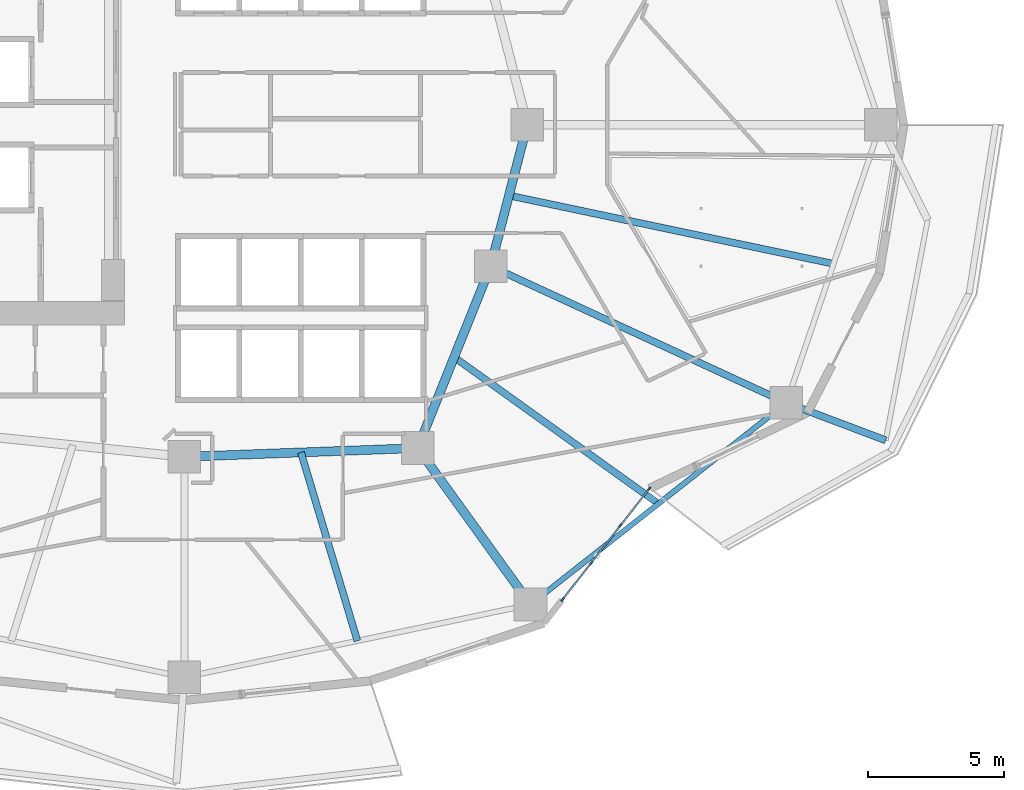
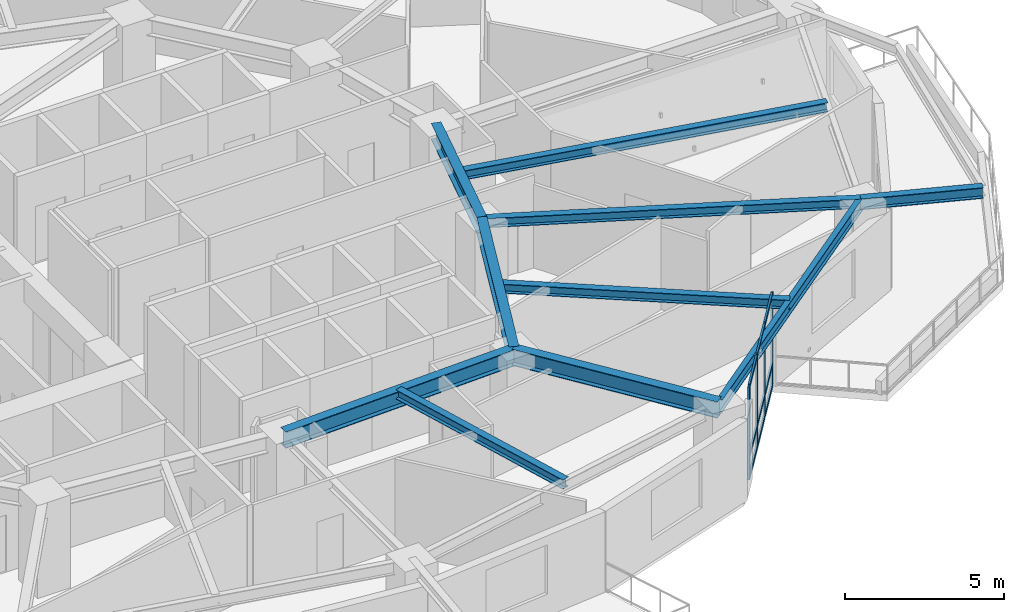
# One storey, part 4 of 18: 13 members, 10 beams, 1 element without a shape of its own.
"""IFC4 building model written with IfcOpenShell, lengths in metres."""

from ifc_helpers import new_model, si_unit, direction, frame, origin, origin_2d, place, context, subcontext, project, spatial, rectangle, i_section, extrude, material, layer, layer_set, material_profile, profile_set, type_object, element, aggregate, save


model = new_model("IFC4")

# Units and contexts
model_context = context("Model", 3, precision=1e-05, world=origin(), true_north=direction((0.0, 1.0)))
body_context = subcontext(model_context, "Body", "Model", "MODEL_VIEW")
ifc_project = project(units=[si_unit("LENGTHUNIT", "METRE"), si_unit("AREAUNIT", "SQUARE_METRE"), si_unit("VOLUMEUNIT", "CUBIC_METRE"), si_unit("PLANEANGLEUNIT", "RADIAN"), si_unit("MASSUNIT", "GRAM", prefix="KILO")], contexts=[model_context])

# Site, building, storey
site_placement = place(None, origin())
site = spatial("IfcSite", under=ifc_project, at=site_placement, CompositionType="ELEMENT")
building_placement = place(site_placement, origin())
building = spatial("IfcBuilding", under=site, at=building_placement, Name="Kolvaren Gate Tower and Convention Centre", CompositionType="ELEMENT")
storey_placement = place(building_placement, frame((0.0, 0.0, 53.449951171875)))
storey = spatial("IfcBuildingStorey", under=building, at=storey_placement, Name="L12", CompositionType="ELEMENT", Elevation=53.449951171875)

# Curtain wall, members
ifc_material_1 = material(Name="Anodized Architectural Aluminium Alloy 6063-T6", Category="aluminium")
ifc_layer = layer(ifc_material_1, 0.159912109375)
ifc_layer_set = layer_set([ifc_layer], Name="Anodized Architectural Aluminium Alloy 6063-T6")
curtain_wall_type = type_object("IfcCurtainWallType", Name="CW-OFF-UNIT", PredefinedType="NOTDEFINED", material=ifc_layer_set)
curtain_wall_placement = place(storey_placement, origin())
curtain_wall = element("IfcCurtainWall", 1, at=curtain_wall_placement, inside=storey, type_object=curtain_wall_type, Name="Tower L12 Unitised Curtain Wall CW-OFF-UNIT Bay 20", PredefinedType="NOTDEFINED")
ifc_material_profile_1 = material_profile(ifc_material_1, rectangle(XDim=0.06494140625, YDim=0.159912109375, at=origin_2d()), Name="CW-MEM-MUL-160")
ifc_profile_set_1 = profile_set([ifc_material_profile_1], Name="Anodized Architectural Aluminium Alloy 6063-T6")
member_type_1 = type_object("IfcMemberType", Name="CW-MEM-MUL-160", PredefinedType="MULLION", material=ifc_profile_set_1)
member_1_placement = place(storey_placement, frame((44.027099609375, 9.556396484375, 0.0), z_axis=(0.0, 0.0, 1.0), x_axis=(-0.787406322976, 0.61643432946, 0.0)))
member_1 = element("IfcMember", 2, at=member_1_placement, type_object=member_type_1, Name="CW-02 mullion 1", PredefinedType="MULLION", context=body_context, shape_type="SweptSolid", body=[
    extrude(rectangle(XDim=0.06494140625, YDim=0.159912109375, at=origin_2d()), origin(), (0.0, 0.0, 1.0), 3.570068359375),
])
member_2_placement = place(storey_placement, frame((45.079345703125, 10.900634765625, 0.0), z_axis=(0.0, 0.0, 1.0), x_axis=(-0.787406322976, 0.61643432946, 0.0)))
member_2 = element("IfcMember", 3, at=member_2_placement, type_object=member_type_1, Name="CW-02 mullion 2", PredefinedType="MULLION", context=body_context, shape_type="SweptSolid", body=[
    extrude(rectangle(XDim=0.06494140625, YDim=0.159912109375, at=origin_2d()), origin(), (0.0, 0.0, 1.0), 3.570068359375),
])
member_3_placement = place(storey_placement, frame((46.151611328125, 12.270263671875, 0.0), z_axis=(0.0, 0.0, 1.0), x_axis=(-0.787406322976, 0.61643432946, 0.0)))
member_3 = element("IfcMember", 4, at=member_3_placement, type_object=member_type_1, Name="CW-02 mullion 3", PredefinedType="MULLION", context=body_context, shape_type="SweptSolid", body=[
    extrude(rectangle(XDim=0.06494140625, YDim=0.159912109375, at=origin_2d()), origin(), (0.0, 0.0, 1.0), 3.570068359375),
])
member_4_placement = place(storey_placement, frame((47.203857421875, 13.6142578125, 0.0), z_axis=(0.0, 0.0, 1.0), x_axis=(-0.787406322976, 0.61643432946, 0.0)))
member_4 = element("IfcMember", 5, at=member_4_placement, type_object=member_type_1, Name="CW-02 mullion 4", PredefinedType="MULLION", context=body_context, shape_type="SweptSolid", body=[
    extrude(rectangle(XDim=0.06494140625, YDim=0.159912109375, at=origin_2d()), origin(), (0.0, 0.0, 1.0), 3.570068359375),
])
ifc_material_profile_2 = material_profile(ifc_material_1, rectangle(XDim=0.06494140625, YDim=0.159912109375, at=origin_2d()), Name="CW-MEM-TRN-160")
ifc_profile_set_2 = profile_set([ifc_material_profile_2], Name="Anodized Architectural Aluminium Alloy 6063-T6")
member_type_2 = type_object("IfcMemberType", Name="CW-MEM-TRN-160", PredefinedType="USERDEFINED", material=ifc_profile_set_2)
member_5_placement = place(storey_placement, frame((44.047119140625, 9.58203125, 0.032470703125), z_axis=(0.616428523412, 0.787410868304, 0.0), x_axis=(-0.787410868304, 0.616428523412, 0.0)))
member_5 = element("IfcMember", 6, at=member_5_placement, type_object=member_type_2, Name="CW-02 transom 1.1", ObjectType="TRANSOM", PredefinedType="USERDEFINED", context=body_context, shape_type="SweptSolid", body=[
    extrude(rectangle(XDim=0.06494140625, YDim=0.159912109375, at=origin_2d()), origin(), (0.0, 0.0, 1.0), 1.64208984375),
])
member_6_placement = place(storey_placement, frame((44.047119140625, 9.58203125, 0.85009765625), z_axis=(0.616428523412, 0.787410868304, 0.0), x_axis=(-0.787410868304, 0.616428523412, 0.0)))
member_6 = element("IfcMember", 7, at=member_6_placement, type_object=member_type_2, Name="CW-02 transom 1.2", ObjectType="TRANSOM", PredefinedType="USERDEFINED", context=body_context, shape_type="SweptSolid", body=[
    extrude(rectangle(XDim=0.06494140625, YDim=0.159912109375, at=origin_2d()), origin(), (0.0, 0.0, 1.0), 1.64208984375),
])
member_7_placement = place(storey_placement, frame((44.047119140625, 9.58203125, 3.53759765625), z_axis=(0.616428523412, 0.787410868304, 0.0), x_axis=(-0.787410868304, 0.616428523412, 0.0)))
member_7 = element("IfcMember", 8, at=member_7_placement, type_object=member_type_2, Name="CW-02 transom 1.3", ObjectType="TRANSOM", PredefinedType="USERDEFINED", context=body_context, shape_type="SweptSolid", body=[
    extrude(rectangle(XDim=0.06494140625, YDim=0.159912109375, at=origin_2d()), origin(), (0.0, 0.0, 1.0), 1.64208984375),
])
member_8_placement = place(storey_placement, frame((45.099365234375, 10.92626953125, 0.032470703125), z_axis=(0.616481234943, 0.787369599974, 0.0), x_axis=(-0.787369599974, 0.616481234943, 0.0)))
member_8 = element("IfcMember", 9, at=member_8_placement, type_object=member_type_2, Name="CW-02 transom 2.1", ObjectType="TRANSOM", PredefinedType="USERDEFINED", context=body_context, shape_type="SweptSolid", body=[
    extrude(rectangle(XDim=0.06494140625, YDim=0.159912109375, at=origin_2d()), origin(), (0.0, 0.0, 1.0), 1.67431640625),
])
member_9_placement = place(storey_placement, frame((45.099365234375, 10.92626953125, 0.85009765625), z_axis=(0.616481234943, 0.787369599974, 0.0), x_axis=(-0.787369599974, 0.616481234943, 0.0)))
member_9 = element("IfcMember", 10, at=member_9_placement, type_object=member_type_2, Name="CW-02 transom 2.2", ObjectType="TRANSOM", PredefinedType="USERDEFINED", context=body_context, shape_type="SweptSolid", body=[
    extrude(rectangle(XDim=0.06494140625, YDim=0.159912109375, at=origin_2d()), origin(), (0.0, 0.0, 1.0), 1.67431640625),
])
member_10_placement = place(storey_placement, frame((45.099365234375, 10.92626953125, 3.53759765625), z_axis=(0.616481234943, 0.787369599974, 0.0), x_axis=(-0.787369599974, 0.616481234943, 0.0)))
member_10 = element("IfcMember", 11, at=member_10_placement, type_object=member_type_2, Name="CW-02 transom 2.3", ObjectType="TRANSOM", PredefinedType="USERDEFINED", context=body_context, shape_type="SweptSolid", body=[
    extrude(rectangle(XDim=0.06494140625, YDim=0.159912109375, at=origin_2d()), origin(), (0.0, 0.0, 1.0), 1.67431640625),
])
member_11_placement = place(storey_placement, frame((46.171630859375, 12.2958984375, 0.032470703125), z_axis=(0.61650069609, 0.787354362228, 0.0), x_axis=(-0.787354362228, 0.61650069609, 0.0)))
member_11 = element("IfcMember", 12, at=member_11_placement, type_object=member_type_2, Name="CW-02 transom 3.1", ObjectType="TRANSOM", PredefinedType="USERDEFINED", context=body_context, shape_type="SweptSolid", body=[
    extrude(rectangle(XDim=0.06494140625, YDim=0.159912109375, at=origin_2d()), origin(), (0.0, 0.0, 1.0), 1.641845703125),
])
member_12_placement = place(storey_placement, frame((46.171630859375, 12.2958984375, 0.85009765625), z_axis=(0.61650069609, 0.787354362228, 0.0), x_axis=(-0.787354362228, 0.61650069609, 0.0)))
member_12 = element("IfcMember", 13, at=member_12_placement, type_object=member_type_2, Name="CW-02 transom 3.2", ObjectType="TRANSOM", PredefinedType="USERDEFINED", context=body_context, shape_type="SweptSolid", body=[
    extrude(rectangle(XDim=0.06494140625, YDim=0.159912109375, at=origin_2d()), origin(), (0.0, 0.0, 1.0), 1.641845703125),
])
member_13_placement = place(storey_placement, frame((46.171630859375, 12.2958984375, 3.53759765625), z_axis=(0.61650069609, 0.787354362228, 0.0), x_axis=(-0.787354362228, 0.61650069609, 0.0)))
member_13 = element("IfcMember", 14, at=member_13_placement, type_object=member_type_2, Name="CW-02 transom 3.3", ObjectType="TRANSOM", PredefinedType="USERDEFINED", context=body_context, shape_type="SweptSolid", body=[
    extrude(rectangle(XDim=0.06494140625, YDim=0.159912109375, at=origin_2d()), origin(), (0.0, 0.0, 1.0), 1.641845703125),
])
aggregate(curtain_wall, [member_1, member_2, member_3, member_4, member_5, member_6, member_7, member_8, member_9, member_10, member_11, member_12, member_13])

# Beams
ifc_material_2 = material(Name="Structural steel ASTM A992 Grade 345 MPa", Category="steel")
ifc_material_profile_3 = material_profile(ifc_material_2, i_section(OverallWidth=0.260009765625, OverallDepth=0.419921875, WebThickness=0.013427734375, FlangeThickness=0.0224609375, at=origin_2d()), Name="W410X132")
ifc_profile_set_3 = profile_set([ifc_material_profile_3], Name="Structural steel ASTM A992 Grade 345 MPa")
beam_type_1 = type_object("IfcBeamType", Name="STR-BM-W410X132", PredefinedType="BEAM", material=ifc_profile_set_3)
beam_1_placement = place(storey_placement, frame((52.248779296875, 16.781494140625, 3.360595703125), z_axis=(0.935601718951, -0.353057252434, 0.0), x_axis=(0.353057252434, 0.935601718951, 0.0)))
element("IfcBeam", 15, at=beam_1_placement, inside=storey, type_object=beam_type_1, Name="Tower L13 Planted Balcony Outrigger Cantilever BC-4A", PredefinedType="BEAM", context=body_context, shape_type="SweptSolid", body=[
    extrude(i_section(OverallWidth=0.260009765625, OverallDepth=0.419921875, WebThickness=0.013427734375, FlangeThickness=0.0224609375, at=origin_2d()), origin(), (0.0, 0.0, 1.0), 3.900146484375),
])
ifc_material_profile_4 = material_profile(ifc_material_2, i_section(OverallWidth=0.327880859375, OverallDepth=0.6279296875, WebThickness=0.0166015625, FlangeThickness=0.027587890625, at=origin_2d()), Name="W610X217")
ifc_profile_set_4 = profile_set([ifc_material_profile_4], Name="Structural steel ASTM A992 Grade 345 MPa")
beam_type_2 = type_object("IfcBeamType", Name="STR-BM-W610X217", PredefinedType="BEAM", material=ifc_profile_set_4)
beam_2_placement = place(storey_placement, frame((42.72509765625, 27.0, 3.256103515625), z_axis=(-0.250091133936, -0.968222301296, 0.0), x_axis=(0.968222301296, -0.250091133936, 0.0)))
element("IfcBeam", 16, at=beam_2_placement, inside=storey, type_object=beam_type_2, Name="Tower L12 Primary Ring Girder G-01", PredefinedType="BEAM", context=body_context, shape_type="SweptSolid", body=[
    extrude(i_section(OverallWidth=0.327880859375, OverallDepth=0.6279296875, WebThickness=0.0166015625, FlangeThickness=0.027587890625, at=origin_2d()), origin(), (0.0, 0.0, 1.0), 5.3701171875),
])
beam_3_placement = place(storey_placement, frame((30.125, 14.800048828125, 3.256103515625), z_axis=(0.999301712453, 0.037364254142, 0.0), x_axis=(-0.037364254142, 0.999301712453, 0.0)))
element("IfcBeam", 17, at=beam_3_placement, inside=storey, type_object=beam_type_2, Name="Tower L12 Primary Ring Girder G-08", PredefinedType="BEAM", context=body_context, shape_type="SweptSolid", body=[
    extrude(i_section(OverallWidth=0.327880859375, OverallDepth=0.6279296875, WebThickness=0.0166015625, FlangeThickness=0.027587890625, at=origin_2d()), origin(), (0.0, 0.0, 1.0), 8.579345703125),
])
beam_4_placement = place(storey_placement, frame((38.6982421875, 15.12060546875, 3.256103515625), z_axis=(0.372811100169, 0.927907260232, 0.0), x_axis=(-0.927907260232, 0.372811100169, 0.0)))
element("IfcBeam", 18, at=beam_4_placement, inside=storey, type_object=beam_type_2, Name="Tower L12 Primary Ring Girder G-09", PredefinedType="BEAM", context=body_context, shape_type="SweptSolid", body=[
    extrude(i_section(OverallWidth=0.327880859375, OverallDepth=0.6279296875, WebThickness=0.0166015625, FlangeThickness=0.027587890625, at=origin_2d()), origin(), (0.0, 0.0, 1.0), 7.198974609375),
])
beam_5_placement = place(storey_placement, frame((38.6982421875, 15.12060546875, 3.256103515625), z_axis=(0.585212604054, -0.81087989743, 0.0), x_axis=(0.81087989743, 0.585212604054, 0.0)))
element("IfcBeam", 19, at=beam_5_placement, inside=storey, type_object=beam_type_2, Name="Tower L12 Radial Floor Girder RB-11", PredefinedType="BEAM", context=body_context, shape_type="SweptSolid", body=[
    extrude(i_section(OverallWidth=0.327880859375, OverallDepth=0.6279296875, WebThickness=0.0166015625, FlangeThickness=0.027587890625, at=origin_2d()), origin(), (0.0, 0.0, 1.0), 7.08837890625),
])
ifc_material_profile_5 = material_profile(ifc_material_2, i_section(OverallWidth=0.2548828125, OverallDepth=0.35693359375, WebThickness=0.010498046875, FlangeThickness=0.018310546875, at=origin_2d()), Name="W360X101")
ifc_profile_set_5 = profile_set([ifc_material_profile_5], Name="Structural steel ASTM A992 Grade 345 MPa")
beam_type_3 = type_object("IfcBeamType", Name="STR-JS-W360X101", PredefinedType="JOIST", material=ifc_profile_set_5)
beam_6_placement = place(storey_placement, frame((41.382080078125, 21.800537109375, 3.3916015625), z_axis=(0.907843538102, -0.419309086864, 0.0), x_axis=(0.419309086864, 0.907843538102, 0.0)))
element("IfcBeam", 20, at=beam_6_placement, inside=storey, type_object=beam_type_3, Name="Tower L12 Radial Floor Girder RB-12", PredefinedType="JOIST", context=body_context, shape_type="SweptSolid", body=[
    extrude(i_section(OverallWidth=0.2548828125, OverallDepth=0.35693359375, WebThickness=0.010498046875, FlangeThickness=0.018310546875, at=origin_2d()), origin(), (0.0, 0.0, 1.0), 11.9697265625),
])
beam_7_placement = place(storey_placement, frame((34.41162109375, 14.960205078125, 3.3916015625), z_axis=(0.286954287166, -0.957944276603, 0.0), x_axis=(0.957944276603, 0.286954287166, 0.0)))
element("IfcBeam", 21, at=beam_7_placement, inside=storey, type_object=beam_type_3, Name="Tower L12 Secondary Composite Floor Joist J-10.1", PredefinedType="JOIST", context=body_context, shape_type="SweptSolid", body=[
    extrude(i_section(OverallWidth=0.2548828125, OverallDepth=0.35693359375, WebThickness=0.010498046875, FlangeThickness=0.018310546875, at=origin_2d()), origin(), (0.0, 0.0, 1.0), 7.2275390625),
])
beam_8_placement = place(storey_placement, frame((40.040283203125, 18.46044921875, 3.3916015625), z_axis=(0.812660683761, -0.582737173234, 0.0), x_axis=(0.582737173234, 0.812660683761, 0.0)))
element("IfcBeam", 22, at=beam_8_placement, inside=storey, type_object=beam_type_3, Name="Tower L12 Secondary Composite Floor Joist J-11.1", PredefinedType="JOIST", context=body_context, shape_type="SweptSolid", body=[
    extrude(i_section(OverallWidth=0.2548828125, OverallDepth=0.35693359375, WebThickness=0.010498046875, FlangeThickness=0.018310546875, at=origin_2d()), origin(), (0.0, 0.0, 1.0), 9.238037109375),
])
beam_9_placement = place(storey_placement, frame((42.0537109375, 24.400146484375, 3.3916015625), z_axis=(0.978573369431, -0.205898423114, 0.0), x_axis=(0.205898423114, 0.978573369431, 0.0)))
element("IfcBeam", 23, at=beam_9_placement, inside=storey, type_object=beam_type_3, Name="Tower L12 Secondary Composite Floor Joist J-12.1", PredefinedType="JOIST", context=body_context, shape_type="SweptSolid", body=[
    extrude(i_section(OverallWidth=0.2548828125, OverallDepth=0.35693359375, WebThickness=0.010498046875, FlangeThickness=0.018310546875, at=origin_2d()), origin(), (0.0, 0.0, 1.0), 12.188232421875),
])
ifc_material_profile_6 = material_profile(ifc_material_2, i_section(OverallWidth=0.194091796875, OverallDepth=0.468994140625, WebThickness=0.0126953125, FlangeThickness=0.0205078125, at=origin_2d()), Name="W460X106")
ifc_profile_set_6 = profile_set([ifc_material_profile_6], Name="Structural steel ASTM A992 Grade 345 MPa")
beam_type_4 = type_object("IfcBeamType", Name="STR-SP-W460X106", PredefinedType="SPANDREL", material=ifc_profile_set_6)
beam_10_placement = place(storey_placement, frame((42.846435546875, 9.372802734375, 3.33544921875), z_axis=(0.785459824636, 0.618912646407, 0.0), x_axis=(-0.618912646407, 0.785459824636, 0.0)))
element("IfcBeam", 24, at=beam_10_placement, inside=storey, type_object=beam_type_4, Name="Tower L12 Perimeter Spandrel Beam SP-11", PredefinedType="SPANDREL", context=body_context, shape_type="SweptSolid", body=[
    extrude(i_section(OverallWidth=0.194091796875, OverallDepth=0.468994140625, WebThickness=0.0126953125, FlangeThickness=0.0205078125, at=origin_2d()), origin(), (0.0, 0.0, 1.0), 11.970458984375),
])

save(model, "model.ifc")
